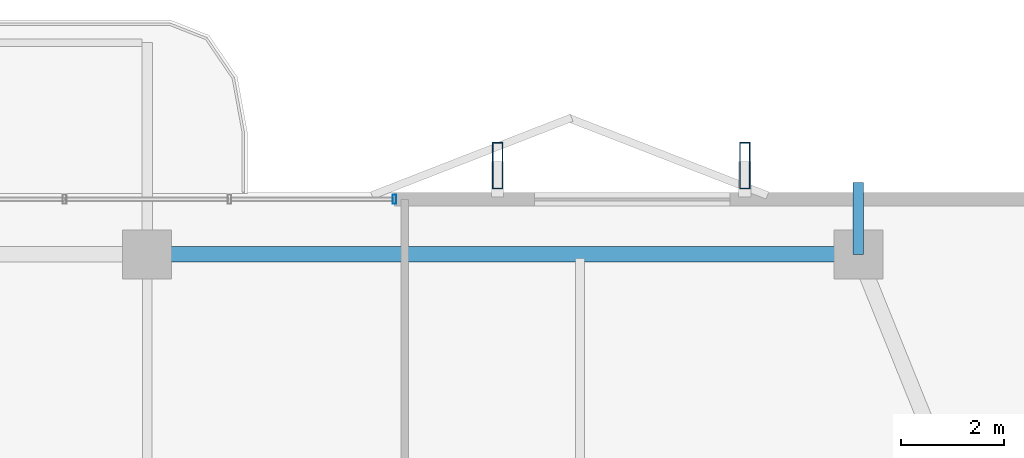
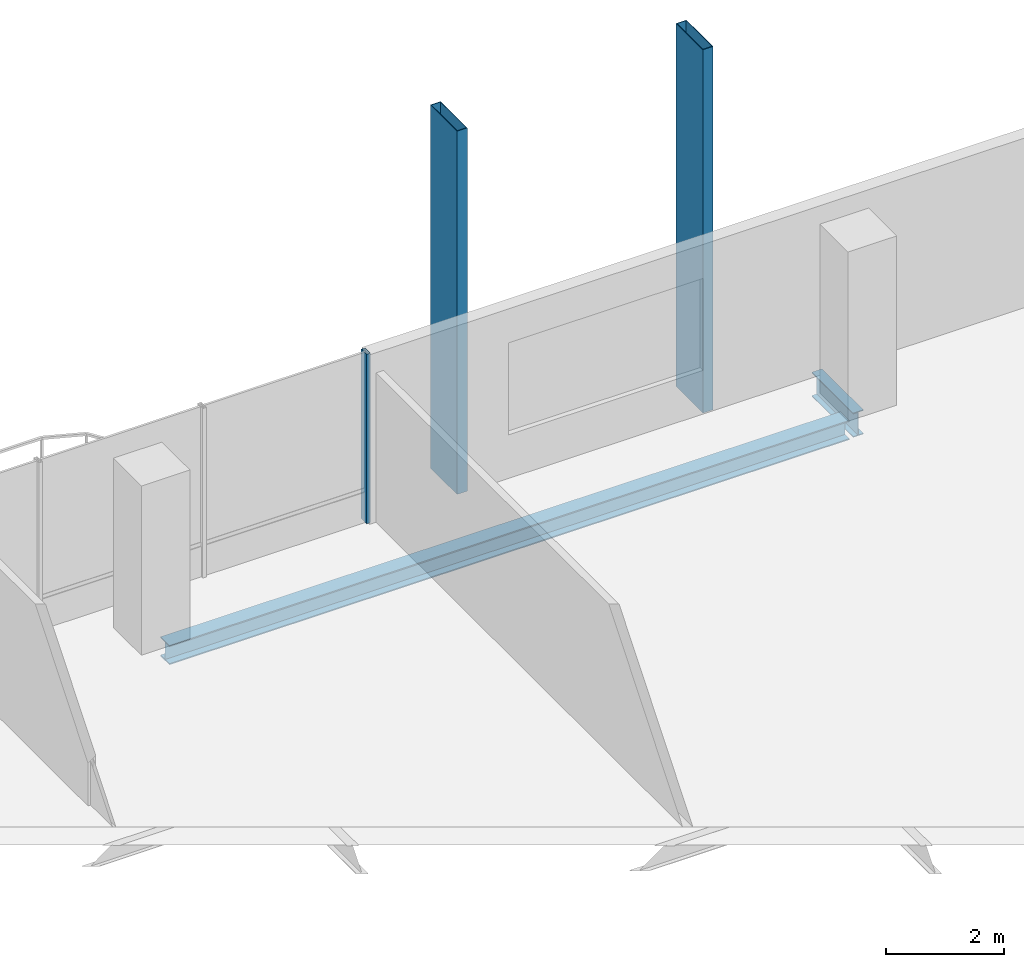
# One storey, part 16 of 25: 3 members, 2 beams, 1 element without a shape of its own.
"""IFC4 building model written with IfcOpenShell, lengths in metres."""

from ifc_helpers import new_model, si_unit, direction, frame, origin, origin_2d, place, context, subcontext, project, spatial, hollow_rectangle, i_section, extrude, material, layer, layer_set, material_profile, profile_set, type_object, element, aggregate, save


model = new_model("IFC4")

# Units and contexts
model_context = context("Model", 3, precision=1e-05, world=origin(), true_north=direction((0.0, 1.0)))
body_context = subcontext(model_context, "Body", "Model", "MODEL_VIEW")
ifc_project = project(units=[si_unit("LENGTHUNIT", "METRE"), si_unit("AREAUNIT", "SQUARE_METRE"), si_unit("VOLUMEUNIT", "CUBIC_METRE"), si_unit("PLANEANGLEUNIT", "RADIAN"), si_unit("MASSUNIT", "GRAM", prefix="KILO")], contexts=[model_context])

# Site, building, storey
site_placement = place(None, origin())
site = spatial("IfcSite", under=ifc_project, at=site_placement, CompositionType="ELEMENT")
building_placement = place(site_placement, origin())
building = spatial("IfcBuilding", under=site, at=building_placement, Name="Belovzor Exchange Tower", CompositionType="ELEMENT")
storey_placement = place(building_placement, frame((0.0, 0.0, 272.85009765625)))
storey = spatial("IfcBuildingStorey", under=building, at=storey_placement, Name="L68", CompositionType="ELEMENT", Elevation=272.85009765625)

# Beam
ifc_material_1 = material(Name="Steel S355", Category="steel")
ifc_material_profile_1 = material_profile(ifc_material_1, i_section(OverallWidth=0.199951171875, OverallDepth=0.5, WebThickness=0.01025390625, FlangeThickness=0.01611328125, at=origin_2d()))
ifc_profile_set_1 = profile_set([ifc_material_profile_1], Name="Steel S355")
beam_type_1 = type_object("IfcBeamType", Name="Planted Balcony Cantilever Beam IPE 500", PredefinedType="BEAM", material=ifc_profile_set_1)
beam_1_placement = place(storey_placement, frame((42.60009765625, 52.5, -0.5), z_axis=(0.0, 1.0, 0.0), x_axis=(-1.0, 0.0, 0.0)))
element("IfcBeam", 1, at=beam_1_placement, inside=storey, type_object=beam_type_1, Name="BC-500 Planted Balcony Cantilever Beam IPE 500", PredefinedType="BEAM", context=body_context, shape_type="SweptSolid", body=[
    extrude(i_section(OverallWidth=0.199951171875, OverallDepth=0.5, WebThickness=0.01025390625, FlangeThickness=0.01611328125, at=origin_2d()), origin(), (0.0, 0.0, 1.0), 1.39990234375),
])

# Members
ifc_material_2 = material(Name="Extruded Architectural Terracotta on Steel S355 Carrier", Category="masonry")
ifc_material_profile_2 = material_profile(ifc_material_2, hollow_rectangle(XDim=0.199951171875, YDim=0.89990234375, WallThickness=0.011962890625, at=origin_2d()))
ifc_profile_set_2 = profile_set([ifc_material_profile_2], Name="Extruded Architectural Terracotta on Steel S355 Carrier")
member_type_1 = type_object("IfcMemberType", Name="Sweeping Terracotta Baguette Fin Assembly 950", PredefinedType="USERDEFINED", material=ifc_profile_set_2)
for number, where, z_axis, x_axis, name in (
    (2, (35.60009765625, 54.22509765625, -0.25), (0.0, 0.0, 1.0), (1.0, 0.0, 0.0), "FIN-TC095 Terracotta Facade Fin L68 N3"),
    (3, (40.39990234375, 54.22509765625, -0.25), (0.0, 0.0, 1.0), (1.0, 0.0, 0.0), "FIN-TC095 Terracotta Facade Fin L68 N4"),
):
    element("IfcMember", number, at=place(storey_placement, frame(where, z_axis=z_axis, x_axis=x_axis)), inside=storey, type_object=member_type_1, Name=name, ObjectType="FIN", PredefinedType="USERDEFINED", context=body_context, shape_type="SweptSolid", body=[
        extrude(hollow_rectangle(XDim=0.199951171875, YDim=0.89990234375, WallThickness=0.011962890625, at=origin_2d()), origin(), (0.0, 0.0, 1.0), 7.5),
    ])

# Curtain wall, member
ifc_material_3 = material(Name="Anodised Aluminium Framing", Category="aluminium")
ifc_layer = layer(ifc_material_3, 0.179931640625)
ifc_layer_set = layer_set([ifc_layer], Name="Anodised Aluminium Framing")
curtain_wall_type = type_object("IfcCurtainWallType", Name="Recessed Loggia Low-Iron Triple-Glazed Curtain Wall", PredefinedType="NOTDEFINED", material=ifc_layer_set)
curtain_wall_placement = place(storey_placement, origin())
curtain_wall = element("IfcCurtainWall", 4, at=curtain_wall_placement, inside=storey, type_object=curtain_wall_type, Name="CW3 Recessed Loggia Low-Iron Triple-Glazed Curtain Wall L68", PredefinedType="NOTDEFINED")
ifc_material_4 = material(Name="Steel S355", Category="steel")
ifc_material_profile_3 = material_profile(ifc_material_4, hollow_rectangle(XDim=0.074951171875, YDim=0.179931640625, WallThickness=0.0048828125, at=origin_2d()))
ifc_profile_set_3 = profile_set([ifc_material_profile_3], Name="Steel S355")
member_type_2 = type_object("IfcMemberType", Name="Thermally Broken Curtain Wall Mullion 180x75", PredefinedType="MULLION", material=ifc_profile_set_3)
member_placement = place(storey_placement, frame((33.60009765625, 53.570068359375, 0.0), z_axis=(0.0, 0.0, 1.0), x_axis=(1.0, 0.0, 0.0)))
member = element("IfcMember", 5, at=member_placement, type_object=member_type_2, Name="CW-M180 Curtain Wall Mullion 4", PredefinedType="MULLION", context=body_context, shape_type="SweptSolid", body=[
    extrude(hollow_rectangle(XDim=0.074951171875, YDim=0.179931640625, WallThickness=0.0048828125, at=origin_2d()), origin(), (0.0, 0.0, 1.0), 3.5),
])
aggregate(curtain_wall, [member])

# Beam
ifc_material_5 = material(Name="Steel S355", Category="steel")
ifc_material_profile_4 = material_profile(ifc_material_5, i_section(OverallWidth=0.300048828125, OverallDepth=0.39990234375, WebThickness=0.013427734375, FlangeThickness=0.02392578125, at=origin_2d()))
ifc_profile_set_4 = profile_set([ifc_material_profile_4], Name="Steel S355")
beam_type_2 = type_object("IfcBeamType", Name="Zone 5 Primary Girder HEB 400", PredefinedType="BEAM", material=ifc_profile_set_4)
beam_2_placement = place(storey_placement, frame((42.339111328125, 52.5, -0.4501953125), z_axis=(-1.0, 0.0, 0.0), x_axis=(0.0, -1.0, 0.0)))
element("IfcBeam", 6, at=beam_2_placement, inside=storey, type_object=beam_type_2, Name="FG-Z5 Zone 5 Primary Girder HEB 400", PredefinedType="BEAM", context=body_context, shape_type="SweptSolid", body=[
    extrude(i_section(OverallWidth=0.300048828125, OverallDepth=0.39990234375, WebThickness=0.013427734375, FlangeThickness=0.02392578125, at=origin_2d()), origin(), (0.0, 0.0, 1.0), 13.278076171875),
])

save(model, "model.ifc")
